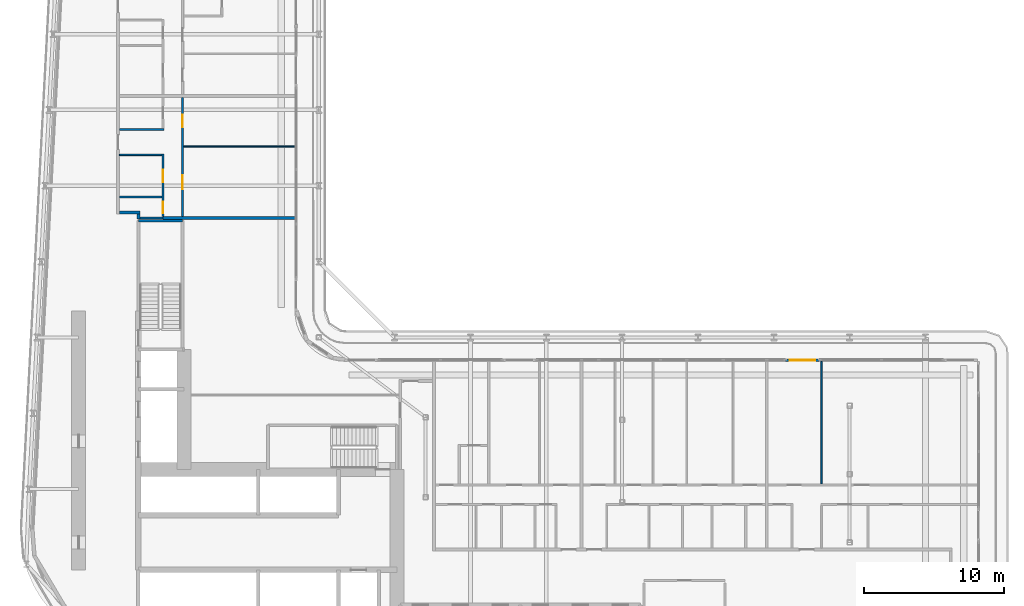
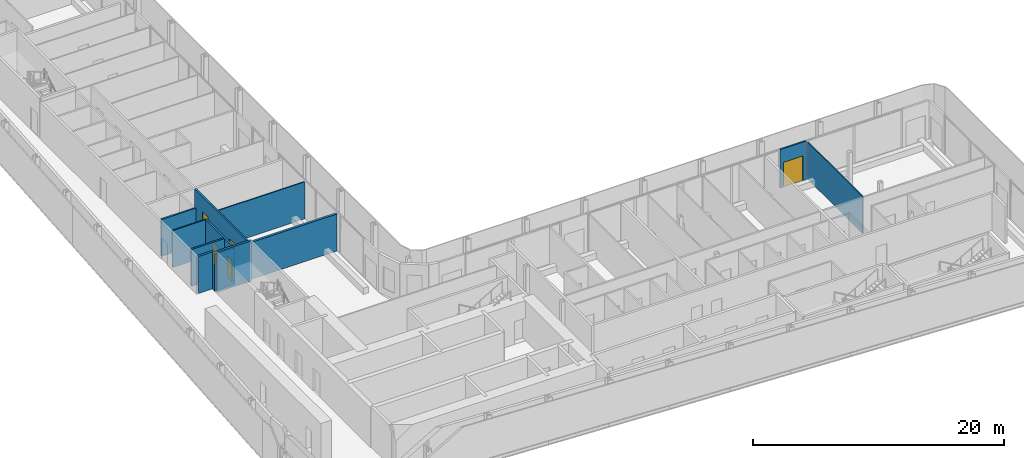
# One storey, part 16 of 28: 13 walls, 5 doors, 5 openings.
"""IFC4 building model written with IfcOpenShell, lengths in metres."""

from ifc_helpers import new_model, si_unit, direction, frame, frame_2d, origin, place, context, subcontext, project, spatial, rectangle, extrude, source, transform, mapped, material, layer, layer_set, type_object, element, fill, save


model = new_model("IFC4")

# Units and contexts
model_context = context("Model", 3, precision=1e-05, world=origin(), true_north=direction((0.0, 1.0)))
body_context = subcontext(model_context, "Body", "Model", "MODEL_VIEW")
ifc_project = project(units=[si_unit("LENGTHUNIT", "METRE"), si_unit("AREAUNIT", "SQUARE_METRE"), si_unit("VOLUMEUNIT", "CUBIC_METRE"), si_unit("PLANEANGLEUNIT", "RADIAN"), si_unit("MASSUNIT", "GRAM", prefix="KILO")], contexts=[model_context])

# Site, building, storey
site_placement = place(None, origin())
site = spatial("IfcSite", under=ifc_project, at=site_placement, CompositionType="ELEMENT")
building_placement = place(site_placement, origin())
building = spatial("IfcBuilding", under=site, at=building_placement, Name="Kheshtan School and Residences Tower", CompositionType="ELEMENT")
storey_placement = place(building_placement, frame((0.0, 0.0, 42.199951171875)))
storey = spatial("IfcBuildingStorey", under=building, at=storey_placement, Name="L09", CompositionType="ELEMENT", Elevation=42.199951171875)

# Walls
ifc_material_1 = material(Name="Gypsum board on steel studs with fire boards", Category="steel")
ifc_layer_1 = layer(ifc_material_1, 0.199951171875)
ifc_layer_set_1 = layer_set([ifc_layer_1], Name="Corridor wall 200")
wall_type_1 = type_object("IfcWallType", Name="Corridor wall 200", PredefinedType="PARTITIONING", material=ifc_layer_set_1)
wall_1_placement = place(storey_placement, frame((33.39990234375, 54.5, 0.0), z_axis=(0.0, 0.0, 1.0), x_axis=(1.0, 0.0, 0.0)))
element("IfcWall", 1, at=wall_1_placement, inside=storey, type_object=wall_type_1, Name="Partition L09-005", PredefinedType="PARTITIONING", context=body_context, shape_type="SweptSolid", body=[
    extrude(rectangle(XDim=1.4501953125, YDim=0.199951171875, at=frame_2d((0.72509765625, 0.0))), origin(), (0.0, 0.0, 1.0), 3.60009765625),
])
wall_2_placement = place(storey_placement, frame((34.75, 54.02490234375, 0.0), z_axis=(0.0, 0.0, 1.0), x_axis=(0.0, 1.0, 0.0)))
element("IfcWall", 2, at=wall_2_placement, inside=storey, type_object=wall_type_1, Name="Partition L09-019", PredefinedType="PARTITIONING", context=body_context, shape_type="SweptSolid", body=[
    extrude(rectangle(XDim=0.375, YDim=0.199951171875, at=frame_2d((0.1875, 0.0))), origin(), (0.0, 0.0, 1.0), 3.60009765625),
])

# Wall, opening, door
ifc_material_2 = material(Name="Aluminium frame wall with insulated infill", Category="aluminium")
ifc_layer_2 = layer(ifc_material_2, 0.14990234375)
ifc_layer_set_2 = layer_set([ifc_layer_2], Name="Glazing frame wall 150")
wall_type_2 = type_object("IfcWallType", Name="Glazing frame wall 150", PredefinedType="SOLIDWALL", material=ifc_layer_set_2)
wall_3_placement = place(storey_placement, frame((80.83203125, 43.97509765625, 0.0), z_axis=(0.0, 0.0, 1.0), x_axis=(1.0, 0.0, 0.0)))
wall_3 = element("IfcWall", 3, at=wall_3_placement, inside=storey, type_object=wall_type_2, Name="Balcony door wall L09 12.3", PredefinedType="SOLIDWALL", context=body_context, shape_type="SweptSolid", body=[
    extrude(rectangle(XDim=2.40087890625, YDim=0.14990234375, at=frame_2d((1.200439453125, 0.0))), origin(), (0.0, 0.0, 1.0), 3.75),
])
opening_1_placement = place(wall_3_placement, frame((0.300048828125, 0.0, 0.0)))
opening_1 = element("IfcOpeningElement", 4, at=opening_1_placement, cuts=wall_3, Name="Opening BD", PredefinedType="OPENING", context=body_context, shape_type="SweptSolid", body=[
    extrude(rectangle(XDim=1.800048828125, YDim=2.39990234375, at=frame_2d((0.89990234375, 1.199951171875))), frame((0.0, 0.0849609375, 0.0), z_axis=(0.0, -1.0, 0.0), x_axis=(1.0, 0.0, 0.0)), (0.0, 0.0, 1.0), 0.169921875),
])
ifc_material_3 = material(Name="Clear low-e glass in thermally broken aluminium frame", Category="aluminium")
door_type_1 = type_object("IfcDoorType", Name="Balcony sliding door", OperationType="SLIDING_TO_LEFT", PredefinedType="DOOR", material=ifc_material_3)
shared_shape_1 = source(origin(), body_context, "Body", "SweptSolid", [
    extrude(rectangle(XDim=1.800048828125, YDim=2.39990234375, at=frame_2d((0.89990234375, 1.199951171875))), frame((0.0, 0.02490234375, 0.0), z_axis=(0.0, -1.0, 0.0), x_axis=(1.0, 0.0, 0.0)), (0.0, 0.0, 1.0), 0.050048828125),
])
door_1_placement = place(opening_1_placement, origin())
door_1 = element("IfcDoor", 5, at=door_1_placement, inside=storey, type_object=door_type_1, Name="Balcony door L09 12.3", OperationType="SLIDING_TO_LEFT", OverallHeight=2.39990234375, OverallWidth=1.800048828125, PredefinedType="DOOR", context=body_context, shape_type="MappedRepresentation", body=[
    mapped(shared_shape_1, transform((0.0, 0.0, 0.0), x_axis=(1.0, 0.0, 0.0), y_axis=(0.0, 1.0, 0.0), z_axis=(0.0, 0.0, 1.0), scale=1.0)),
])
fill(opening_1, door_1)

# Walls
ifc_material_4 = material(Name="Gypsum board on steel studs", Category="steel")
ifc_layer_3 = layer(ifc_material_4, 0.10009765625)
ifc_layer_set_3 = layer_set([ifc_layer_3], Name="Gypsum partition 100")
wall_type_3 = type_object("IfcWallType", Name="Gypsum partition 100", PredefinedType="PARTITIONING", material=ifc_layer_set_3)
wall_4_placement = place(storey_placement, frame((33.39990234375, 58.60009765625, 0.0), z_axis=(0.0, 0.0, 1.0), x_axis=(1.0, 0.0, 0.0)))
element("IfcWall", 6, at=wall_4_placement, inside=storey, type_object=wall_type_3, Name="Partition L09-007", PredefinedType="PARTITIONING", context=body_context, shape_type="SweptSolid", body=[
    extrude(rectangle(XDim=3.025146484375, YDim=0.10009765625, at=frame_2d((1.5126953125, 0.0))), origin(), (0.0, 0.0, 1.0), 3.60009765625),
])
wall_5_placement = place(storey_placement, frame((37.97509765625, 59.199951171875, 0.0), z_axis=(0.0, 0.0, 1.0), x_axis=(1.0, 0.0, 0.0)))
element("IfcWall", 7, at=wall_5_placement, inside=storey, type_object=wall_type_3, Name="Partition L09-036", PredefinedType="PARTITIONING", context=body_context, shape_type="SweptSolid", body=[
    extrude(rectangle(XDim=7.9248046875, YDim=0.10009765625, at=frame_2d((3.96240234375, 0.0))), origin(), (0.0, 0.0, 1.0), 3.60009765625),
])
wall_6_placement = place(storey_placement, frame((83.39990234375, 35.175048828125, 0.0), z_axis=(0.0, 0.0, 1.0), x_axis=(0.0, 1.0, 0.0)))
element("IfcWall", 8, at=wall_6_placement, inside=storey, type_object=wall_type_3, Name="Partition L09-076", PredefinedType="PARTITIONING", context=body_context, shape_type="SweptSolid", body=[
    extrude(rectangle(XDim=8.724853515625, YDim=0.10009765625, at=frame_2d((4.3623046875, 0.0))), origin(), (0.0, 0.0, 1.0), 3.60009765625),
])
ifc_material_5 = material(Name="Concrete C40/50", Category="concrete")
ifc_layer_4 = layer(ifc_material_5, 0.199951171875)
ifc_layer_set_4 = layer_set([ifc_layer_4], Name="Stair enclosure wall 200 Concrete C40/50")
wall_type_4 = type_object("IfcWallType", Name="Stair enclosure wall 200 Concrete C40/50", PredefinedType="SHEAR", material=ifc_layer_set_4)
wall_7_placement = place(storey_placement, frame((34.75, 53.909912109375, 0.0), z_axis=(0.0, 0.0, 1.0), x_axis=(1.0, 0.0, 0.0)))
element("IfcWall", 9, at=wall_7_placement, inside=storey, type_object=wall_type_4, Name="Stair enclosure wall ST2", PredefinedType="SHEAR", context=body_context, shape_type="SweptSolid", body=[
    extrude(rectangle(XDim=3.14990234375, YDim=0.199951171875, at=frame_2d((1.574951171875, 0.0))), origin(), (0.0, 0.0, 1.0), 3.900146484375),
])
ifc_material_6 = material(Name="Twin gypsum board on steel studs with mineral wool", Category="steel")
ifc_layer_5 = layer(ifc_material_6, 0.199951171875)
ifc_layer_set_5 = layer_set([ifc_layer_5], Name="Unit demising wall 200")
wall_type_5 = type_object("IfcWallType", Name="Unit demising wall 200", PredefinedType="PARTITIONING", material=ifc_layer_set_5)
wall_8_placement = place(storey_placement, frame((36.5, 54.10009765625, 0.0), z_axis=(0.0, 0.0, 1.0), x_axis=(1.0, 0.0, 0.0)))
element("IfcWall", 10, at=wall_8_placement, inside=storey, type_object=wall_type_5, Name="Partition L09-022", PredefinedType="PARTITIONING", context=body_context, shape_type="SweptSolid", body=[
    extrude(rectangle(XDim=9.39990234375, YDim=0.199951171875, at=frame_2d((4.699951171875, 0.0))), origin(), (0.0, 0.0, 1.0), 3.60009765625),
])
ifc_material_7 = material(Name="Moisture-resistant gypsum board on steel studs", Category="steel")
ifc_layer_6 = layer(ifc_material_7, 0.14990234375)
ifc_layer_set_6 = layer_set([ifc_layer_6], Name="Wet-room partition 150")
wall_type_6 = type_object("IfcWallType", Name="Wet-room partition 150", PredefinedType="PARTITIONING", material=ifc_layer_set_6)
wall_9_placement = place(storey_placement, frame((33.39990234375, 55.60009765625, 0.0), z_axis=(0.0, 0.0, 1.0), x_axis=(1.0, 0.0, 0.0)))
element("IfcWall", 11, at=wall_9_placement, inside=storey, type_object=wall_type_6, Name="Partition L09-006", PredefinedType="PARTITIONING", context=body_context, shape_type="SweptSolid", body=[
    extrude(rectangle(XDim=3.025146484375, YDim=0.14990234375, at=frame_2d((1.5126953125, 0.0))), origin(), (0.0, 0.0, 1.0), 3.60009765625),
])
wall_10_placement = place(storey_placement, frame((33.39990234375, 60.39990234375, 0.0), z_axis=(0.0, 0.0, 1.0), x_axis=(1.0, 0.0, 0.0)))
element("IfcWall", 12, at=wall_10_placement, inside=storey, type_object=wall_type_6, Name="Partition L09-008", PredefinedType="PARTITIONING", context=body_context, shape_type="SweptSolid", body=[
    extrude(rectangle(XDim=3.175048828125, YDim=0.14990234375, at=frame_2d((1.58740234375, 0.0))), origin(), (0.0, 0.0, 1.0), 3.60009765625),
])
wall_11_placement = place(storey_placement, frame((34.85009765625, 54.10009765625, 0.0), z_axis=(0.0, 0.0, 1.0), x_axis=(1.0, 0.0, 0.0)))
element("IfcWall", 13, at=wall_11_placement, inside=storey, type_object=wall_type_6, Name="Partition L09-020", PredefinedType="PARTITIONING", context=body_context, shape_type="SweptSolid", body=[
    extrude(rectangle(XDim=1.64990234375, YDim=0.14990234375, at=frame_2d((0.824951171875, 0.0))), origin(), (0.0, 0.0, 1.0), 3.60009765625),
])

# Wall, openings, doors
wall_12_placement = place(storey_placement, frame((36.5, 54.199951171875, 0.0), z_axis=(0.0, 0.0, 1.0), x_axis=(0.0, 1.0, 0.0)))
wall_12 = element("IfcWall", 14, at=wall_12_placement, inside=storey, type_object=wall_type_6, Name="Partition L09-023", PredefinedType="PARTITIONING", context=body_context, shape_type="SweptSolid", body=[
    extrude(rectangle(XDim=4.449951171875, YDim=0.14990234375, at=frame_2d((2.22509765625, 0.0))), origin(), (0.0, 0.0, 1.0), 3.60009765625),
])
opening_2_placement = place(wall_12_placement, frame((2.449951171875, 0.0, 0.0)))
opening_2 = element("IfcOpeningElement", 15, at=opening_2_placement, cuts=wall_12, Name="Opening D08-030", PredefinedType="OPENING", context=body_context, shape_type="SweptSolid", body=[
    extrude(rectangle(XDim=0.89990234375, YDim=2.10009765625, at=frame_2d((0.449951171875, 1.050048828125))), frame((0.0, 0.0849609375, 0.0), z_axis=(0.0, -1.0, 0.0), x_axis=(1.0, 0.0, 0.0)), (0.0, 0.0, 1.0), 0.169921875),
])
opening_3_placement = place(wall_12_placement, frame((0.25, 0.0, 0.0)))
opening_3 = element("IfcOpeningElement", 16, at=opening_3_placement, cuts=wall_12, Name="Opening D08-032", PredefinedType="OPENING", context=body_context, shape_type="SweptSolid", body=[
    extrude(rectangle(XDim=0.800048828125, YDim=2.10009765625, at=frame_2d((0.39990234375, 1.050048828125))), frame((0.0, 0.0849609375, 0.0), z_axis=(0.0, -1.0, 0.0), x_axis=(1.0, 0.0, 0.0)), (0.0, 0.0, 1.0), 0.169921875),
])
ifc_material_8 = material(Name="Veneered timber door leaf", Category="wood")
door_type_2 = type_object("IfcDoorType", Name="Door 800 x 2100", OperationType="SINGLE_SWING_LEFT", PredefinedType="DOOR", material=ifc_material_8)
shared_shape_2 = source(origin(), body_context, "Body", "SweptSolid", [
    extrude(rectangle(XDim=0.800048828125, YDim=2.10009765625, at=frame_2d((0.39990234375, 1.050048828125))), frame((0.0, 0.02490234375, 0.0), z_axis=(0.0, -1.0, 0.0), x_axis=(1.0, 0.0, 0.0)), (0.0, 0.0, 1.0), 0.050048828125),
])
door_2_placement = place(opening_3_placement, origin())
door_2 = element("IfcDoor", 17, at=door_2_placement, inside=storey, type_object=door_type_2, Name="Door D08-032", OperationType="SINGLE_SWING_RIGHT", OverallHeight=2.10009765625, OverallWidth=0.800048828125, PredefinedType="DOOR", context=body_context, shape_type="MappedRepresentation", body=[
    mapped(shared_shape_2, transform((0.0, 0.0, 0.0), x_axis=(1.0, 0.0, 0.0), y_axis=(0.0, 1.0, 0.0), z_axis=(0.0, 0.0, 1.0), scale=1.0)),
])
fill(opening_3, door_2)
door_type_3 = type_object("IfcDoorType", Name="Door 900 x 2100", OperationType="SINGLE_SWING_LEFT", PredefinedType="DOOR", material=ifc_material_8)
shared_shape_3 = source(origin(), body_context, "Body", "SweptSolid", [
    extrude(rectangle(XDim=0.89990234375, YDim=2.10009765625, at=frame_2d((0.449951171875, 1.050048828125))), frame((0.0, 0.02490234375, 0.0), z_axis=(0.0, -1.0, 0.0), x_axis=(1.0, 0.0, 0.0)), (0.0, 0.0, 1.0), 0.050048828125),
])
door_3_placement = place(opening_2_placement, origin())
door_3 = element("IfcDoor", 18, at=door_3_placement, inside=storey, type_object=door_type_3, Name="Door D08-030", OperationType="SINGLE_SWING_RIGHT", OverallHeight=2.10009765625, OverallWidth=0.89990234375, PredefinedType="DOOR", context=body_context, shape_type="MappedRepresentation", body=[
    mapped(shared_shape_3, transform((0.0, 0.0, 0.0), x_axis=(1.0, 0.0, 0.0), y_axis=(0.0, 1.0, 0.0), z_axis=(0.0, 0.0, 1.0), scale=1.0)),
])
fill(opening_2, door_3)

wall_13_placement = place(storey_placement, frame((37.89990234375, 54.199951171875, 0.0), z_axis=(0.0, 0.0, 1.0), x_axis=(0.0, 1.0, 0.0)))
wall_13 = element("IfcWall", 19, at=wall_13_placement, inside=storey, type_object=wall_type_6, Name="Partition L09-032", PredefinedType="PARTITIONING", context=body_context, shape_type="SweptSolid", body=[
    extrude(rectangle(XDim=8.5, YDim=0.14990234375, at=frame_2d((4.25, 0.0))), origin(), (0.0, 0.0, 1.0), 3.60009765625),
])
opening_4_placement = place(wall_13_placement, frame((6.35009765625, 0.0, 0.0)))
opening_4 = element("IfcOpeningElement", 20, at=opening_4_placement, cuts=wall_13, Name="Opening D08-028", PredefinedType="OPENING", context=body_context, shape_type="SweptSolid", body=[
    extrude(rectangle(XDim=0.89990234375, YDim=2.10009765625, at=frame_2d((0.449951171875, 1.050048828125))), frame((0.0, 0.0849609375, 0.0), z_axis=(0.0, -1.0, 0.0), x_axis=(1.0, 0.0, 0.0)), (0.0, 0.0, 1.0), 0.169921875),
])
opening_5_placement = place(wall_13_placement, frame((1.949951171875, 0.0, 0.0)))
opening_5 = element("IfcOpeningElement", 21, at=opening_5_placement, cuts=wall_13, Name="Opening D08-031", PredefinedType="OPENING", context=body_context, shape_type="SweptSolid", body=[
    extrude(rectangle(XDim=1.0, YDim=2.10009765625, at=frame_2d((0.5, 1.050048828125))), frame((0.0, 0.0849609375, 0.0), z_axis=(0.0, -1.0, 0.0), x_axis=(1.0, 0.0, 0.0)), (0.0, 0.0, 1.0), 0.169921875),
])
door_type_4 = type_object("IfcDoorType", Name="Door 1000 x 2100", OperationType="SINGLE_SWING_LEFT", PredefinedType="DOOR", material=ifc_material_8)
shared_shape_4 = source(origin(), body_context, "Body", "SweptSolid", [
    extrude(rectangle(XDim=1.0, YDim=2.10009765625, at=frame_2d((0.5, 1.050048828125))), frame((0.0, 0.02490234375, 0.0), z_axis=(0.0, -1.0, 0.0), x_axis=(1.0, 0.0, 0.0)), (0.0, 0.0, 1.0), 0.050048828125),
])
door_4_placement = place(opening_5_placement, origin())
door_4 = element("IfcDoor", 22, at=door_4_placement, inside=storey, type_object=door_type_4, Name="Door D08-031", OperationType="SINGLE_SWING_RIGHT", OverallHeight=2.10009765625, OverallWidth=1.0, PredefinedType="DOOR", context=body_context, shape_type="MappedRepresentation", body=[
    mapped(shared_shape_4, transform((0.0, 0.0, 0.0), x_axis=(1.0, 0.0, 0.0), y_axis=(0.0, 1.0, 0.0), z_axis=(0.0, 0.0, 1.0), scale=1.0)),
])
fill(opening_5, door_4)
door_5_placement = place(opening_4_placement, origin())
door_5 = element("IfcDoor", 23, at=door_5_placement, inside=storey, type_object=door_type_3, Name="Door D08-028", OperationType="SINGLE_SWING_RIGHT", OverallHeight=2.10009765625, OverallWidth=0.89990234375, PredefinedType="DOOR", context=body_context, shape_type="MappedRepresentation", body=[
    mapped(shared_shape_3, transform((0.0, 0.0, 0.0), x_axis=(1.0, 0.0, 0.0), y_axis=(0.0, 1.0, 0.0), z_axis=(0.0, 0.0, 1.0), scale=1.0)),
])
fill(opening_4, door_5)

save(model, "model.ifc")
